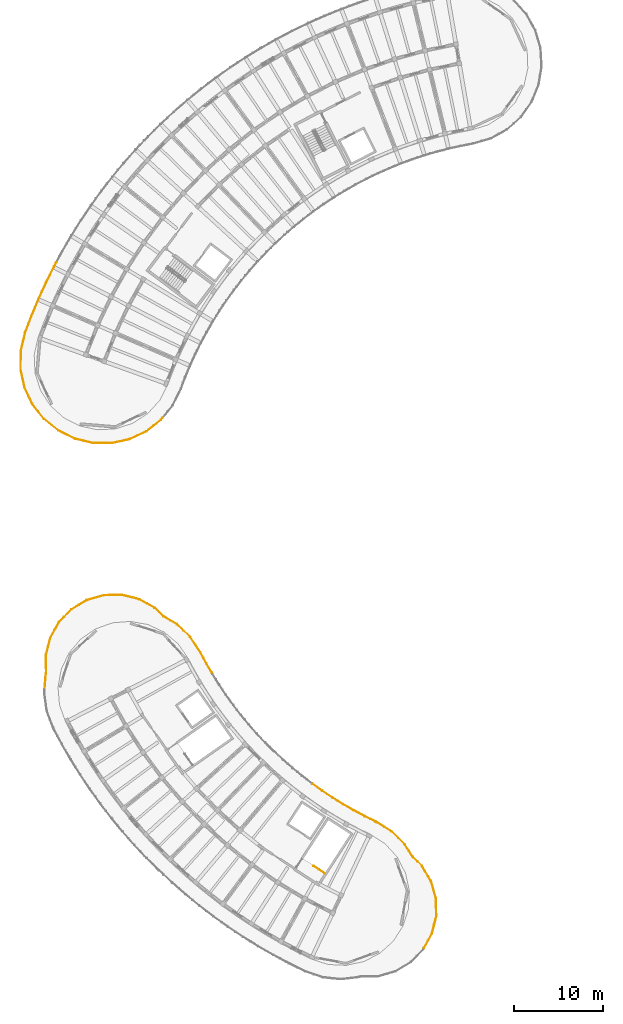
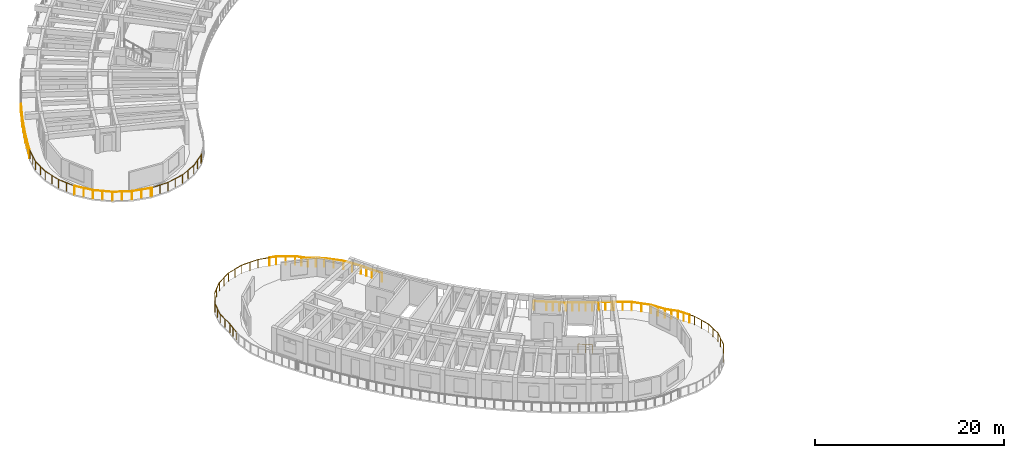
# One storey, part 32 of 41: 12 railings.
"""IFC4 building model written with IfcOpenShell, lengths in metres."""

from ifc_helpers import new_model, si_unit, direction, frame, origin, origin_2d, place, context, subcontext, project, spatial, circle, extrude, material, type_object, element, save


model = new_model("IFC4")

# Units and contexts
model_context = context("Model", 3, precision=1e-05, world=origin(), true_north=direction((0.0, 1.0)))
body_context = subcontext(model_context, "Body", "Model", "MODEL_VIEW")
ifc_project = project(units=[si_unit("LENGTHUNIT", "METRE"), si_unit("AREAUNIT", "SQUARE_METRE"), si_unit("VOLUMEUNIT", "CUBIC_METRE"), si_unit("PLANEANGLEUNIT", "RADIAN"), si_unit("MASSUNIT", "GRAM", prefix="KILO")], contexts=[model_context])

# Site, building, storey
site_placement = place(None, origin())
site = spatial("IfcSite", under=ifc_project, at=site_placement, CompositionType="ELEMENT")
building_placement = place(site_placement, origin())
building = spatial("IfcBuilding", under=site, at=building_placement, Name="Tanwirah Colonnade Gardens", CompositionType="ELEMENT")
storey_placement = place(building_placement, frame((0.0, 0.0, 35.719970703125)))
storey = spatial("IfcBuildingStorey", under=building, at=storey_placement, Name="L10", CompositionType="ELEMENT", Elevation=35.719970703125)

# Railings
ifc_material_1 = material(Name="Precast concrete C40/50", Category="concrete")
railing_type_1 = type_object("IfcRailingType", Name="BAL-EXT110", PredefinedType="BALUSTRADE", material=ifc_material_1)
railing_1_placement = place(storey_placement, frame((22.910400390625, 49.001953125, 0.0)))
element("IfcRailing", 1, at=railing_1_placement, inside=storey, type_object=railing_type_1, Name="Block C L10 Balcony Ribbon Balustrade 1", PredefinedType="BALUSTRADE", context=body_context, shape_type="SweptSolid", body=[
    extrude(circle(Radius=0.02392578125, at=origin_2d()), frame((0.02685546875, -0.015869140625, 1.076171875), z_axis=(0.860634061895, -0.50922393061, 0.0), x_axis=(0.50922393061, 0.860634061895, 0.0)), (0.0, 0.0, 1.0), 1.64990234375),
    extrude(circle(Radius=0.02392578125, at=origin_2d()), frame((1.49658203125, -0.8935546875, 1.076171875), z_axis=(0.72580510626, -0.687900390846, 0.0), x_axis=(0.687900390846, 0.72580510626, 0.0)), (0.0, 0.0, 1.0), 2.0244140625),
    extrude(circle(Radius=0.02392578125, at=origin_2d()), frame((3.005859375, -2.333740234375, 1.076171875), z_axis=(0.554538606918, -0.832157997881, 0.0), x_axis=(0.832157997881, 0.554538606918, 0.0)), (0.0, 0.0, 1.0), 2.029541015625),
    extrude(circle(Radius=0.02392578125, at=origin_2d()), frame((4.163330078125, -4.076171875, 1.076171875), z_axis=(0.472391966796, -0.881388580427, 0.0), x_axis=(0.881388580427, 0.472391966796, 0.0)), (0.0, 0.0, 1.0), 1.32763671875),
    extrude(circle(Radius=0.02392578125, at=origin_2d()), frame((4.822265625, -5.30322265625, 1.076171875), z_axis=(0.5009966932, -0.865449197471, 0.0), x_axis=(0.865449197471, 0.5009966932, 0.0)), (0.0, 0.0, 1.0), 1.1533203125),
    extrude(circle(Radius=0.02099609375, at=origin_2d()), origin(), (0.0, 0.0, 1.0), 1.049072265625),
    extrude(circle(Radius=0.02099609375, at=origin_2d()), frame((0.73681640625, -0.43603515625, 0.0)), (0.0, 0.0, 1.0), 1.049072265625),
    extrude(circle(Radius=0.02099609375, at=origin_2d()), frame((1.473876953125, -0.8720703125, 0.0)), (0.0, 0.0, 1.0), 1.049072265625),
    extrude(circle(Radius=0.02099609375, at=origin_2d()), frame((2.231201171875, -1.58984375, 0.0)), (0.0, 0.0, 1.0), 1.049072265625),
    extrude(circle(Radius=0.02099609375, at=origin_2d()), frame((2.988525390625, -2.3076171875, 0.0)), (0.0, 0.0, 1.0), 1.049072265625),
    extrude(circle(Radius=0.02099609375, at=origin_2d()), frame((3.568603515625, -3.17822265625, 0.0)), (0.0, 0.0, 1.0), 1.049072265625),
    extrude(circle(Radius=0.02099609375, at=origin_2d()), frame((4.148681640625, -4.048583984375, 0.0)), (0.0, 0.0, 1.0), 1.049072265625),
    extrude(circle(Radius=0.02099609375, at=origin_2d()), frame((4.47705078125, -4.6611328125, 0.0)), (0.0, 0.0, 1.0), 1.049072265625),
    extrude(circle(Radius=0.02099609375, at=origin_2d()), frame((4.805419921875, -5.27392578125, 0.0)), (0.0, 0.0, 1.0), 1.049072265625),
    extrude(circle(Radius=0.02099609375, at=origin_2d()), frame((5.415771484375, -6.328369140625, 0.0)), (0.0, 0.0, 1.0), 1.049072265625),
])
railing_2_placement = place(storey_placement, frame((39.662353515625, 30.156005859375, 0.0)))
element("IfcRailing", 2, at=railing_2_placement, inside=storey, type_object=railing_type_1, Name="Block C L10 Balcony Ribbon Balustrade 4", PredefinedType="BALUSTRADE", context=body_context, shape_type="SweptSolid", body=[
    extrude(circle(Radius=0.02392578125, at=origin_2d()), frame((0.025390625, -0.01806640625, 1.076171875), z_axis=(0.813510923357, -0.581549634664, 0.0), x_axis=(0.581549634664, 0.813510923357, 0.0)), (0.0, 0.0, 1.0), 1.27197265625),
    extrude(circle(Radius=0.02392578125, at=origin_2d()), frame((1.114013671875, -0.794921875, 1.076171875), z_axis=(0.832077237554, -0.554659779274, 0.0), x_axis=(0.554659779274, 0.832077237554, 0.0)), (0.0, 0.0, 1.0), 1.33154296875),
    extrude(circle(Radius=0.02392578125, at=origin_2d()), frame((2.276611328125, -1.56884765625, 1.076171875), z_axis=(0.849764617567, -0.527162303973, 0.0), x_axis=(0.527162303973, 0.849764617567, 0.0)), (0.0, 0.0, 1.0), 1.33154296875),
    extrude(circle(Radius=0.02392578125, at=origin_2d()), frame((3.4638671875, -2.303955078125, 1.076171875), z_axis=(0.866535241782, -0.499115893104, 0.0), x_axis=(0.499115893104, 0.866535241782, 0.0)), (0.0, 0.0, 1.0), 1.33154296875),
    extrude(circle(Radius=0.02392578125, at=origin_2d()), frame((4.6748046875, -3.0, 1.076171875), z_axis=(0.88242081136, -0.470460956593, 0.0), x_axis=(0.470460956593, 0.88242081136, 0.0)), (0.0, 0.0, 1.0), 1.331298828125),
    extrude(circle(Radius=0.02392578125, at=origin_2d()), frame((5.90771484375, -3.65625, 1.076171875), z_axis=(0.897323738879, -0.441372980192, 0.0), x_axis=(0.441372980192, 0.897323738879, 0.0)), (0.0, 0.0, 1.0), 1.327392578125),
    extrude(circle(Radius=0.02392578125, at=origin_2d()), frame((7.153564453125, -4.272216796875, 1.076171875), z_axis=(0.851297818265, -0.524682784755, 0.0), x_axis=(0.524682784755, 0.851297818265, 0.0)), (0.0, 0.0, 1.0), 0.12353515625),
    extrude(circle(Radius=0.02099609375, at=origin_2d()), origin(), (0.0, 0.0, 1.0), 1.049072265625),
    extrude(circle(Radius=0.02099609375, at=origin_2d()), frame((1.085693359375, -0.776123046875, 0.0)), (0.0, 0.0, 1.0), 1.049072265625),
    extrude(circle(Radius=0.02099609375, at=origin_2d()), frame((1.66796875, -1.1640625, 0.0)), (0.0, 0.0, 1.0), 1.049072265625),
    extrude(circle(Radius=0.02099609375, at=origin_2d()), frame((2.247802734375, -1.55078125, 0.0)), (0.0, 0.0, 1.0), 1.049072265625),
    extrude(circle(Radius=0.02099609375, at=origin_2d()), frame((2.84228515625, -1.919677734375, 0.0)), (0.0, 0.0, 1.0), 1.049072265625),
    extrude(circle(Radius=0.02099609375, at=origin_2d()), frame((3.4345703125, -2.287109375, 0.0)), (0.0, 0.0, 1.0), 1.049072265625),
    extrude(circle(Radius=0.02099609375, at=origin_2d()), frame((4.040771484375, -2.63623046875, 0.0)), (0.0, 0.0, 1.0), 1.049072265625),
    extrude(circle(Radius=0.02099609375, at=origin_2d()), frame((4.644775390625, -2.984130859375, 0.0)), (0.0, 0.0, 1.0), 1.049072265625),
    extrude(circle(Radius=0.02099609375, at=origin_2d()), frame((5.26220703125, -3.313232421875, 0.0)), (0.0, 0.0, 1.0), 1.049072265625),
    extrude(circle(Radius=0.02099609375, at=origin_2d()), frame((5.877197265625, -3.64111328125, 0.0)), (0.0, 0.0, 1.0), 1.049072265625),
    extrude(circle(Radius=0.02099609375, at=origin_2d()), frame((6.50341796875, -3.94921875, 0.0)), (0.0, 0.0, 1.0), 1.049072265625),
    extrude(circle(Radius=0.02099609375, at=origin_2d()), frame((7.126953125, -4.255859375, 0.0)), (0.0, 0.0, 1.0), 1.049072265625),
    extrude(circle(Radius=0.02099609375, at=origin_2d()), frame((7.285400390625, -4.353515625, 0.0)), (0.0, 0.0, 1.0), 1.049072265625),
])
railing_3_placement = place(storey_placement, frame((46.94775390625, 25.802490234375, 0.0)))
element("IfcRailing", 3, at=railing_3_placement, inside=storey, type_object=railing_type_1, Name="Block C L10 Balcony Ribbon Balustrade 5", PredefinedType="BALUSTRADE", context=body_context, shape_type="SweptSolid", body=[
    extrude(circle(Radius=0.02392578125, at=origin_2d()), frame((0.026611328125, -0.016357421875, 1.076171875), z_axis=(0.851006782559, -0.525154697245, 0.0), x_axis=(0.525154697245, 0.851006782559, 0.0)), (0.0, 0.0, 1.0), 1.843505859375),
    extrude(circle(Radius=0.02392578125, at=origin_2d()), frame((1.644287109375, -1.02294921875, 1.076171875), z_axis=(0.712816021803, -0.701351066914, 0.0), x_axis=(0.701351066914, 0.712816021803, 0.0)), (0.0, 0.0, 1.0), 2.0244140625),
    extrude(circle(Radius=0.02392578125, at=origin_2d()), frame((3.12646484375, -2.490966796875, 1.076171875), z_axis=(0.538875687024, -0.842385300165, 0.0), x_axis=(0.842385300165, 0.538875687024, 0.0)), (0.0, 0.0, 1.0), 1.650146484375),
    extrude(circle(Radius=0.02392578125, at=origin_2d()), frame((4.066650390625, -3.943359375, 1.076171875), z_axis=(0.719312923953, -0.694686200694, 0.0), x_axis=(0.694686200694, 0.719312923953, 0.0)), (0.0, 0.0, 1.0), 1.3154296875),
    extrude(circle(Radius=0.02392578125, at=origin_2d()), frame((5.051513671875, -4.90576171875, 1.076171875), z_axis=(0.515035005733, -0.857169144842, 0.0), x_axis=(0.857169144842, 0.515035005733, 0.0)), (0.0, 0.0, 1.0), 1.33544921875),
    extrude(circle(Radius=0.02099609375, at=origin_2d()), origin(), (0.0, 0.0, 1.0), 1.049072265625),
    extrude(circle(Radius=0.02099609375, at=origin_2d()), frame((0.81103515625, -0.50048828125, 0.0)), (0.0, 0.0, 1.0), 1.049072265625),
    extrude(circle(Radius=0.02099609375, at=origin_2d()), frame((1.6220703125, -1.0009765625, 0.0)), (0.0, 0.0, 1.0), 1.049072265625),
    extrude(circle(Radius=0.02099609375, at=origin_2d()), frame((2.36572265625, -1.73291015625, 0.0)), (0.0, 0.0, 1.0), 1.049072265625),
    extrude(circle(Radius=0.02099609375, at=origin_2d()), frame((3.109619140625, -2.464599609375, 0.0)), (0.0, 0.0, 1.0), 1.049072265625),
    extrude(circle(Radius=0.02099609375, at=origin_2d()), frame((3.571044921875, -3.18603515625, 0.0)), (0.0, 0.0, 1.0), 1.049072265625),
    extrude(circle(Radius=0.02099609375, at=origin_2d()), frame((4.032470703125, -3.9072265625, 0.0)), (0.0, 0.0, 1.0), 1.049072265625),
    extrude(circle(Radius=0.02099609375, at=origin_2d()), frame((4.539794921875, -4.400390625, 0.0)), (0.0, 0.0, 1.0), 1.049072265625),
    extrude(circle(Radius=0.02099609375, at=origin_2d()), frame((5.035400390625, -4.87890625, 0.0)), (0.0, 0.0, 1.0), 1.049072265625),
    extrude(circle(Radius=0.02099609375, at=origin_2d()), frame((5.3955078125, -5.47802734375, 0.0)), (0.0, 0.0, 1.0), 1.049072265625),
    extrude(circle(Radius=0.02099609375, at=origin_2d()), frame((5.75537109375, -6.0771484375, 0.0)), (0.0, 0.0, 1.0), 1.049072265625),
])
railing_4_placement = place(storey_placement, frame((52.703125, 19.725341796875, 0.0)))
element("IfcRailing", 4, at=railing_4_placement, inside=storey, type_object=railing_type_1, Name="Block C L10 Balcony Ribbon Balustrade 6", PredefinedType="BALUSTRADE", context=body_context, shape_type="SweptSolid", body=[
    extrude(circle(Radius=0.02392578125, at=origin_2d()), frame((0.01611328125, -0.02685546875, 1.076171875), z_axis=(0.515019194906, -0.85717864467, 0.0), x_axis=(0.85717864467, 0.515019194906, 0.0)), (0.0, 0.0, 1.0), 0.5546875),
    extrude(circle(Radius=0.02392578125, at=origin_2d()), frame((0.326416015625, -0.55908203125, 1.076171875), z_axis=(0.275633113871, -0.961262912287, 0.0), x_axis=(0.961262912287, 0.275633113871, 0.0)), (0.0, 0.0, 1.0), 1.95263671875),
    extrude(circle(Radius=0.02392578125, at=origin_2d()), frame((0.873779296875, -2.497314453125, 1.076171875), z_axis=(0.017445545298, -0.999847814894, 0.0), x_axis=(0.999847814894, 0.017445545298, 0.0)), (0.0, 0.0, 1.0), 1.95263671875),
    extrude(circle(Radius=0.02392578125, at=origin_2d()), frame((0.90087890625, -4.51123046875, 1.076171875), z_axis=(-0.241936954334, -0.970291971588, 0.0), x_axis=(0.970291971588, -0.241936954334, 0.0)), (0.0, 0.0, 1.0), 1.95263671875),
    extrude(circle(Radius=0.02392578125, at=origin_2d()), frame((0.40576171875, -6.463623046875, 1.076171875), z_axis=(-0.4847626387, -0.874645747786, 0.0), x_axis=(0.874645747786, -0.4847626387, 0.0)), (0.0, 0.0, 1.0), 1.774658203125),
    extrude(circle(Radius=0.02099609375, at=origin_2d()), origin(), (0.0, 0.0, 1.0), 1.049072265625),
    extrude(circle(Radius=0.02099609375, at=origin_2d()), frame((0.31787109375, -0.529052734375, 0.0)), (0.0, 0.0, 1.0), 1.049072265625),
    extrude(circle(Radius=0.02099609375, at=origin_2d()), frame((0.595703125, -1.49755859375, 0.0)), (0.0, 0.0, 1.0), 1.049072265625),
    extrude(circle(Radius=0.02099609375, at=origin_2d()), frame((0.873291015625, -2.466064453125, 0.0)), (0.0, 0.0, 1.0), 1.049072265625),
    extrude(circle(Radius=0.02099609375, at=origin_2d()), frame((0.890869140625, -3.4736328125, 0.0)), (0.0, 0.0, 1.0), 1.049072265625),
    extrude(circle(Radius=0.02099609375, at=origin_2d()), frame((0.908447265625, -4.48095703125, 0.0)), (0.0, 0.0, 1.0), 1.049072265625),
    extrude(circle(Radius=0.02099609375, at=origin_2d()), frame((0.66455078125, -5.45849609375, 0.0)), (0.0, 0.0, 1.0), 1.049072265625),
    extrude(circle(Radius=0.02099609375, at=origin_2d()), frame((0.4208984375, -6.436279296875, 0.0)), (0.0, 0.0, 1.0), 1.049072265625),
    extrude(circle(Radius=0.02099609375, at=origin_2d()), frame((-0.0244140625, -7.23974609375, 0.0)), (0.0, 0.0, 1.0), 1.049072265625),
    extrude(circle(Radius=0.02099609375, at=origin_2d()), frame((-0.4697265625, -8.043212890625, 0.0)), (0.0, 0.0, 1.0), 1.049072265625),
])
railing_5_placement = place(storey_placement, frame((9.5048828125, 41.023193359375, 0.0)))
element("IfcRailing", 5, at=railing_5_placement, inside=storey, type_object=railing_type_1, Name="Block C L10 Balcony Ribbon Balustrade 14", PredefinedType="BALUSTRADE", context=body_context, shape_type="SweptSolid", body=[
    extrude(circle(Radius=0.02392578125, at=origin_2d()), frame((0.002685546875, 0.03125, 1.076171875), z_axis=(0.085318173621, 0.996353757081, 0.0), x_axis=(-0.996353757081, 0.085318173621, 0.0)), (0.0, 0.0, 1.0), 1.439697265625),
    extrude(circle(Radius=0.02392578125, at=origin_2d()), frame((0.1376953125, 1.526611328125, 1.076171875), z_axis=(0.30305294563, 0.952973720595, 0.0), x_axis=(-0.952973720595, 0.30305294563, 0.0)), (0.0, 0.0, 1.0), 0.0712890625),
    extrude(circle(Radius=0.02392578125, at=origin_2d()), frame((0.172119140625, 1.68115234375, 1.076171875), z_axis=(-0.01738435709, 0.999848880646, 0.0), x_axis=(-0.999848880646, -0.01738435709, 0.0)), (0.0, 0.0, 1.0), 1.903564453125),
    extrude(circle(Radius=0.02392578125, at=origin_2d()), frame((0.14599609375, 3.64599609375, 1.076171875), z_axis=(0.241822890462, 0.970320405664, 0.0), x_axis=(-0.970320405664, 0.241822890462, 0.0)), (0.0, 0.0, 1.0), 1.95263671875),
    extrude(circle(Radius=0.02392578125, at=origin_2d()), frame((0.640869140625, 5.598388671875, 1.076171875), z_axis=(0.484850671451, 0.874596950826, 0.0), x_axis=(-0.874596950826, 0.484850671451, 0.0)), (0.0, 0.0, 1.0), 1.95263671875),
    extrude(circle(Radius=0.02392578125, at=origin_2d()), frame((1.62451171875, 7.35595703125, 1.076171875), z_axis=(0.694667008034, 0.719331459029, 0.0), x_axis=(-0.719331459029, 0.694667008034, 0.0)), (0.0, 0.0, 1.0), 0.77880859375),
    extrude(circle(Radius=0.02099609375, at=origin_2d()), origin(), (0.0, 0.0, 1.0), 1.049072265625),
    extrude(circle(Radius=0.02099609375, at=origin_2d()), frame((0.06396484375, 0.74853515625, 0.0)), (0.0, 0.0, 1.0), 1.049072265625),
    extrude(circle(Radius=0.02099609375, at=origin_2d()), frame((0.128173828125, 1.496826171875, 0.0)), (0.0, 0.0, 1.0), 1.049072265625),
    extrude(circle(Radius=0.02099609375, at=origin_2d()), frame((0.168701171875, 1.624267578125, 0.0)), (0.0, 0.0, 1.0), 1.049072265625),
    extrude(circle(Radius=0.02099609375, at=origin_2d()), frame((0.155517578125, 2.6328125, 0.0)), (0.0, 0.0, 1.0), 1.049072265625),
    extrude(circle(Radius=0.02099609375, at=origin_2d()), frame((0.138427734375, 3.61572265625, 0.0)), (0.0, 0.0, 1.0), 1.049072265625),
    extrude(circle(Radius=0.02099609375, at=origin_2d()), frame((0.382080078125, 4.59326171875, 0.0)), (0.0, 0.0, 1.0), 1.049072265625),
    extrude(circle(Radius=0.02099609375, at=origin_2d()), frame((0.625732421875, 5.571044921875, 0.0)), (0.0, 0.0, 1.0), 1.049072265625),
    extrude(circle(Radius=0.02099609375, at=origin_2d()), frame((1.1142578125, 6.4521484375, 0.0)), (0.0, 0.0, 1.0), 1.049072265625),
    extrude(circle(Radius=0.02099609375, at=origin_2d()), frame((1.602783203125, 7.33349609375, 0.0)), (0.0, 0.0, 1.0), 1.049072265625),
    extrude(circle(Radius=0.02099609375, at=origin_2d()), frame((2.187255859375, 7.938720703125, 0.0)), (0.0, 0.0, 1.0), 1.049072265625),
])
railing_6_placement = place(storey_placement, frame((11.692138671875, 48.9619140625, 0.0)))
element("IfcRailing", 6, at=railing_6_placement, inside=storey, type_object=railing_type_1, Name="Block C L10 Balcony Ribbon Balustrade 15", PredefinedType="BALUSTRADE", context=body_context, shape_type="SweptSolid", body=[
    extrude(circle(Radius=0.02392578125, at=origin_2d()), frame((0.021728515625, 0.0224609375, 1.076171875), z_axis=(0.694728135281, 0.719272422695, 0.0), x_axis=(-0.719272422695, 0.694728135281, 0.0)), (0.0, 0.0, 1.0), 1.111328125),
    extrude(circle(Radius=0.02392578125, at=origin_2d()), frame((0.84228515625, 0.8603515625, 1.076171875), z_axis=(0.857118567007, 0.515119172709, 0.0), x_axis=(-0.515119172709, 0.857118567007, 0.0)), (0.0, 0.0, 1.0), 1.95263671875),
    extrude(circle(Radius=0.02392578125, at=origin_2d()), frame((2.57275390625, 1.890869140625, 1.076171875), z_axis=(0.961262912287, 0.275633113871, 0.0), x_axis=(-0.275633113871, 0.961262912287, 0.0)), (0.0, 0.0, 1.0), 1.95263671875),
    extrude(circle(Radius=0.02392578125, at=origin_2d()), frame((4.510986328125, 2.438232421875, 1.076171875), z_axis=(0.999847814894, 0.017445545298, 0.0), x_axis=(-0.017445545298, 0.999847814894, 0.0)), (0.0, 0.0, 1.0), 1.95263671875),
    extrude(circle(Radius=0.02392578125, at=origin_2d()), frame((6.52490234375, 2.46533203125, 1.076171875), z_axis=(0.97025452573, -0.242087082058, 0.0), x_axis=(0.242087082058, 0.97025452573, 0.0)), (0.0, 0.0, 1.0), 1.21826171875),
    extrude(circle(Radius=0.02099609375, at=origin_2d()), origin(), (0.0, 0.0, 1.0), 1.049072265625),
    extrude(circle(Radius=0.02099609375, at=origin_2d()), frame((0.8154296875, 0.84423828125, 0.0)), (0.0, 0.0, 1.0), 1.049072265625),
    extrude(circle(Radius=0.02099609375, at=origin_2d()), frame((1.67919921875, 1.36328125, 0.0)), (0.0, 0.0, 1.0), 1.049072265625),
    extrude(circle(Radius=0.02099609375, at=origin_2d()), frame((2.542724609375, 1.88232421875, 0.0)), (0.0, 0.0, 1.0), 1.049072265625),
    extrude(circle(Radius=0.02099609375, at=origin_2d()), frame((3.51123046875, 2.16015625, 0.0)), (0.0, 0.0, 1.0), 1.049072265625),
    extrude(circle(Radius=0.02099609375, at=origin_2d()), frame((4.479736328125, 2.437744140625, 0.0)), (0.0, 0.0, 1.0), 1.049072265625),
    extrude(circle(Radius=0.02099609375, at=origin_2d()), frame((5.4873046875, 2.455322265625, 0.0)), (0.0, 0.0, 1.0), 1.049072265625),
    extrude(circle(Radius=0.02099609375, at=origin_2d()), frame((6.49462890625, 2.472900390625, 0.0)), (0.0, 0.0, 1.0), 1.049072265625),
    extrude(circle(Radius=0.02099609375, at=origin_2d()), frame((7.7373046875, 2.162841796875, 0.0)), (0.0, 0.0, 1.0), 1.049072265625),
])
railing_7_placement = place(storey_placement, frame((19.429443359375, 51.124755859375, 0.0)))
element("IfcRailing", 7, at=railing_7_placement, inside=storey, type_object=railing_type_1, Name="Block C L10 Balcony Ribbon Balustrade 16", PredefinedType="BALUSTRADE", context=body_context, shape_type="SweptSolid", body=[
    extrude(circle(Radius=0.02392578125, at=origin_2d()), frame((0.0302734375, -0.007568359375, 1.076171875), z_axis=(0.970357219053, -0.24167512787, 0.0), x_axis=(0.24167512787, 0.970357219053, 0.0)), (0.0, 0.0, 1.0), 0.671875),
    extrude(circle(Radius=0.02392578125, at=origin_2d()), frame((0.739990234375, -0.192626953125, 1.076171875), z_axis=(0.874596950826, -0.484850671451, 0.0), x_axis=(0.484850671451, 0.874596950826, 0.0)), (0.0, 0.0, 1.0), 1.95263671875),
    extrude(circle(Radius=0.02392578125, at=origin_2d()), frame((2.49755859375, -1.17626953125, 1.076171875), z_axis=(0.719315955714, -0.694683061443, 0.0), x_axis=(0.694683061443, 0.719315955714, 0.0)), (0.0, 0.0, 1.0), 1.315185546875),
    extrude(circle(Radius=0.02099609375, at=origin_2d()), origin(), (0.0, 0.0, 1.0), 1.049072265625),
    extrude(circle(Radius=0.02099609375, at=origin_2d()), frame((0.712646484375, -0.177490234375, 0.0)), (0.0, 0.0, 1.0), 1.049072265625),
    extrude(circle(Radius=0.02099609375, at=origin_2d()), frame((1.59375, -0.666015625, 0.0)), (0.0, 0.0, 1.0), 1.049072265625),
    extrude(circle(Radius=0.02099609375, at=origin_2d()), frame((2.47509765625, -1.154541015625, 0.0)), (0.0, 0.0, 1.0), 1.049072265625),
    extrude(circle(Radius=0.02099609375, at=origin_2d()), frame((2.970703125, -1.633056640625, 0.0)), (0.0, 0.0, 1.0), 1.049072265625),
    extrude(circle(Radius=0.02099609375, at=origin_2d()), frame((3.466064453125, -2.111572265625, 0.0)), (0.0, 0.0, 1.0), 1.049072265625),
])
railing_type_2 = type_object("IfcRailingType", Name="BAL-EXT112", PredefinedType="BALUSTRADE", material=ifc_material_1)
railing_8_placement = place(storey_placement, frame((22.779541015625, 71.369873046875, 0.0)))
element("IfcRailing", 8, at=railing_8_placement, inside=storey, type_object=railing_type_2, Name="Block A L10 Balcony Ribbon Balustrade 7", PredefinedType="BALUSTRADE", context=body_context, shape_type="SweptSolid", body=[
    extrude(circle(Radius=0.02392578125, at=origin_2d()), frame((-0.019775390625, -0.024169921875, 1.09619140625), z_axis=(-0.630333950087, -0.776324102014, 0.0), x_axis=(0.776324102014, -0.630333950087, 0.0)), (0.0, 0.0, 1.0), 0.2216796875),
    extrude(circle(Radius=0.02392578125, at=origin_2d()), frame((-0.203857421875, -0.239990234375, 1.09619140625), z_axis=(-0.78712959931, -0.616787640838, 0.0), x_axis=(0.616787640838, -0.78712959931, 0.0)), (0.0, 0.0, 1.0), 2.024169921875),
    extrude(circle(Radius=0.02392578125, at=origin_2d()), frame((-1.85009765625, -1.521240234375, 1.09619140625), z_axis=(-0.90464099264, -0.426174464786, 0.0), x_axis=(0.426174464786, -0.90464099264, 0.0)), (0.0, 0.0, 1.0), 2.0244140625),
    extrude(circle(Radius=0.02392578125, at=origin_2d()), frame((-3.740234375, -2.40380859375, 1.09619140625), z_axis=(-0.976815992675, -0.21408063073, 0.0), x_axis=(0.21408063073, -0.976815992675, 0.0)), (0.0, 0.0, 1.0), 2.0244140625),
    extrude(circle(Radius=0.02392578125, at=origin_2d()), frame((-5.779541015625, -2.84375, 1.09619140625), z_axis=(-0.999962881034, 0.008616063785, 0.0), x_axis=(-0.008616063785, -0.999962881034, 0.0)), (0.0, 0.0, 1.0), 1.892578125),
    extrude(circle(Radius=0.02099609375, at=origin_2d()), origin(), (0.0, 0.0, 1.0), 1.069091796875),
    extrude(circle(Radius=0.02099609375, at=origin_2d()), frame((-0.17919921875, -0.220703125, 0.0)), (0.0, 0.0, 1.0), 1.069091796875),
    extrude(circle(Radius=0.02099609375, at=origin_2d()), frame((-1.00048828125, -0.8642578125, 0.0)), (0.0, 0.0, 1.0), 1.069091796875),
    extrude(circle(Radius=0.02099609375, at=origin_2d()), frame((-1.82177734375, -1.5078125, 0.0)), (0.0, 0.0, 1.0), 1.069091796875),
    extrude(circle(Radius=0.02099609375, at=origin_2d()), frame((-2.765625, -1.95263671875, 0.0)), (0.0, 0.0, 1.0), 1.069091796875),
    extrude(circle(Radius=0.02099609375, at=origin_2d()), frame((-3.709716796875, -2.397216796875, 0.0)), (0.0, 0.0, 1.0), 1.069091796875),
    extrude(circle(Radius=0.02099609375, at=origin_2d()), frame((-4.72900390625, -2.62060546875, 0.0)), (0.0, 0.0, 1.0), 1.069091796875),
    extrude(circle(Radius=0.02099609375, at=origin_2d()), frame((-5.748291015625, -2.843994140625, 0.0)), (0.0, 0.0, 1.0), 1.069091796875),
    extrude(circle(Radius=0.02099609375, at=origin_2d()), frame((-6.725830078125, -2.83544921875, 0.0)), (0.0, 0.0, 1.0), 1.069091796875),
    extrude(circle(Radius=0.02099609375, at=origin_2d()), frame((-7.703369140625, -2.8271484375, 0.0)), (0.0, 0.0, 1.0), 1.069091796875),
])
railing_9_placement = place(storey_placement, frame((15.076171875, 68.542724609375, 0.0)))
element("IfcRailing", 9, at=railing_9_placement, inside=storey, type_object=railing_type_2, Name="Block A L10 Balcony Ribbon Balustrade 8", PredefinedType="BALUSTRADE", context=body_context, shape_type="SweptSolid", body=[
    extrude(circle(Radius=0.02392578125, at=origin_2d()), frame((-0.03125, 0.000244140625, 1.09619140625), z_axis=(-0.999972566287, 0.007407204195, 0.0), x_axis=(-0.007407204195, -0.999972566287, 0.0)), (0.0, 0.0, 1.0), 0.0693359375),
    extrude(circle(Radius=0.02392578125, at=origin_2d()), frame((-0.162353515625, 0.00830078125, 1.09619140625), z_axis=(-0.972970402289, 0.230929851403, 0.0), x_axis=(-0.230929851403, -0.972970402289, 0.0)), (0.0, 0.0, 1.0), 2.0244140625),
    extrude(circle(Radius=0.02392578125, at=origin_2d()), frame((-2.1904296875, 0.496826171875, 1.09619140625), z_axis=(-0.897194210898, 0.441636216735, 0.0), x_axis=(-0.441636216735, -0.897194210898, 0.0)), (0.0, 0.0, 1.0), 2.0244140625),
    extrude(circle(Radius=0.02392578125, at=origin_2d()), frame((-4.058837890625, 1.42431640625, 1.09619140625), z_axis=(-0.776432376797, 0.630200574628, 0.0), x_axis=(-0.630200574628, -0.776432376797, 0.0)), (0.0, 0.0, 1.0), 2.0244140625),
    extrude(circle(Radius=0.02392578125, at=origin_2d()), frame((-5.67431640625, 2.744384765625, 1.09619140625), z_axis=(-0.616787640838, 0.78712959931, 0.0), x_axis=(-0.78712959931, -0.616787640838, 0.0)), (0.0, 0.0, 1.0), 2.024169921875),
    extrude(circle(Radius=0.02099609375, at=origin_2d()), origin(), (0.0, 0.0, 1.0), 1.069091796875),
    extrude(circle(Radius=0.02099609375, at=origin_2d()), frame((-0.1318359375, 0.0009765625, 0.0)), (0.0, 0.0, 1.0), 1.069091796875),
    extrude(circle(Radius=0.02099609375, at=origin_2d()), frame((-1.14697265625, 0.241943359375, 0.0)), (0.0, 0.0, 1.0), 1.069091796875),
    extrude(circle(Radius=0.02099609375, at=origin_2d()), frame((-2.162353515625, 0.48291015625, 0.0)), (0.0, 0.0, 1.0), 1.069091796875),
    extrude(circle(Radius=0.02099609375, at=origin_2d()), frame((-3.0986328125, 0.94384765625, 0.0)), (0.0, 0.0, 1.0), 1.069091796875),
    extrude(circle(Radius=0.02099609375, at=origin_2d()), frame((-4.03466796875, 1.404541015625, 0.0)), (0.0, 0.0, 1.0), 1.069091796875),
    extrude(circle(Radius=0.02099609375, at=origin_2d()), frame((-4.8447265625, 2.06201171875, 0.0)), (0.0, 0.0, 1.0), 1.069091796875),
    extrude(circle(Radius=0.02099609375, at=origin_2d()), frame((-5.655029296875, 2.7197265625, 0.0)), (0.0, 0.0, 1.0), 1.069091796875),
    extrude(circle(Radius=0.02099609375, at=origin_2d()), frame((-6.298583984375, 3.541015625, 0.0)), (0.0, 0.0, 1.0), 1.069091796875),
    extrude(circle(Radius=0.02099609375, at=origin_2d()), frame((-6.942138671875, 4.3623046875, 0.0)), (0.0, 0.0, 1.0), 1.069091796875),
])
railing_10_placement = place(storey_placement, frame((8.125244140625, 72.923583984375, 0.0)))
element("IfcRailing", 10, at=railing_10_placement, inside=storey, type_object=railing_type_2, Name="Block A L10 Balcony Ribbon Balustrade 9", PredefinedType="BALUSTRADE", context=body_context, shape_type="SweptSolid", body=[
    extrude(circle(Radius=0.02392578125, at=origin_2d()), frame((-0.013427734375, 0.0283203125, 1.09619140625), z_axis=(-0.426155459598, 0.9046499457, 0.0), x_axis=(-0.9046499457, -0.426155459598, 0.0)), (0.0, 0.0, 1.0), 2.00390625),
    extrude(circle(Radius=0.02392578125, at=origin_2d()), frame((-0.88720703125, 1.89990234375, 1.09619140625), z_axis=(-0.21408063073, 0.976815992675, 0.0), x_axis=(-0.976815992675, -0.21408063073, 0.0)), (0.0, 0.0, 1.0), 2.0244140625),
    extrude(circle(Radius=0.02392578125, at=origin_2d()), frame((-1.3271484375, 3.939208984375, 1.09619140625), z_axis=(0.008539697957, 0.999963536115, 0.0), x_axis=(-0.999963536115, 0.008539697957, 0.0)), (0.0, 0.0, 1.0), 2.0244140625),
    extrude(circle(Radius=0.02392578125, at=origin_2d()), frame((-1.30224609375, 6.025390625, 1.09619140625), z_axis=(0.230978471845, 0.972958861178, 0.0), x_axis=(-0.972958861178, 0.230978471845, 0.0)), (0.0, 0.0, 1.0), 2.028076171875),
    extrude(circle(Radius=0.02392578125, at=origin_2d()), frame((-0.815673828125, 8.058349609375, 1.09619140625), z_axis=(0.353653196447, 0.935376617541, 0.0), x_axis=(-0.935376617541, 0.353653196447, 0.0)), (0.0, 0.0, 1.0), 0.106689453125),
    extrude(circle(Radius=0.02099609375, at=origin_2d()), origin(), (0.0, 0.0, 1.0), 1.069091796875),
    extrude(circle(Radius=0.02099609375, at=origin_2d()), frame((-0.4404296875, 0.9345703125, 0.0)), (0.0, 0.0, 1.0), 1.069091796875),
    extrude(circle(Radius=0.02099609375, at=origin_2d()), frame((-0.880615234375, 1.869384765625, 0.0)), (0.0, 0.0, 1.0), 1.069091796875),
    extrude(circle(Radius=0.02099609375, at=origin_2d()), frame((-1.10400390625, 2.888671875, 0.0)), (0.0, 0.0, 1.0), 1.069091796875),
    extrude(circle(Radius=0.02099609375, at=origin_2d()), frame((-1.327392578125, 3.907958984375, 0.0)), (0.0, 0.0, 1.0), 1.069091796875),
    extrude(circle(Radius=0.02099609375, at=origin_2d()), frame((-1.318359375, 4.951416015625, 0.0)), (0.0, 0.0, 1.0), 1.069091796875),
    extrude(circle(Radius=0.02099609375, at=origin_2d()), frame((-1.3095703125, 5.994873046875, 0.0)), (0.0, 0.0, 1.0), 1.069091796875),
    extrude(circle(Radius=0.02099609375, at=origin_2d()), frame((-1.068115234375, 7.011962890625, 0.0)), (0.0, 0.0, 1.0), 1.069091796875),
    extrude(circle(Radius=0.02099609375, at=origin_2d()), frame((-0.82666015625, 8.029052734375, 0.0)), (0.0, 0.0, 1.0), 1.069091796875),
    extrude(circle(Radius=0.02099609375, at=origin_2d()), frame((-0.766845703125, 8.187255859375, 0.0)), (0.0, 0.0, 1.0), 1.069091796875),
])
railing_11_placement = place(storey_placement, frame((7.3583984375, 81.11083984375, 0.0)))
element("IfcRailing", 11, at=railing_11_placement, inside=storey, type_object=railing_type_2, Name="Block A L10 Balcony Ribbon Balustrade 10", PredefinedType="BALUSTRADE", context=body_context, shape_type="SweptSolid", body=[
    extrude(circle(Radius=0.02392578125, at=origin_2d()), frame((0.010986328125, 0.029296875, 1.09619140625), z_axis=(0.35385774644, 0.935299254402, 0.0), x_axis=(-0.935299254402, 0.35385774644, 0.0)), (0.0, 0.0, 1.0), 1.785888671875),
    extrude(circle(Radius=0.02392578125, at=origin_2d()), frame((0.666015625, 1.757568359375, 1.09619140625), z_axis=(0.384409566544, 0.92316265368, 0.0), x_axis=(-0.92316265368, 0.384409566544, 0.0)), (0.0, 0.0, 1.0), 1.958984375),
    extrude(circle(Radius=0.02392578125, at=origin_2d()), frame((1.444091796875, 3.62353515625, 1.09619140625), z_axis=(0.414749084938, 0.909935820013, 0.0), x_axis=(-0.909935820013, 0.414749084938, 0.0)), (0.0, 0.0, 1.0), 1.958984375),
    extrude(circle(Radius=0.02392578125, at=origin_2d()), frame((2.283447265625, 5.46240234375, 1.09619140625), z_axis=(0.444409688214, 0.895823659557, 0.0), x_axis=(-0.895823659557, 0.444409688214, 0.0)), (0.0, 0.0, 1.0), 1.959228515625),
    extrude(circle(Radius=0.02392578125, at=origin_2d()), frame((3.182861328125, 7.27294921875, 1.09619140625), z_axis=(0.473802121612, 0.880631335779, 0.0), x_axis=(-0.880631335779, 0.473802121612, 0.0)), (0.0, 0.0, 1.0), 0.5244140625),
    extrude(circle(Radius=0.02099609375, at=origin_2d()), origin(), (0.0, 0.0, 1.0), 1.069091796875),
    extrude(circle(Radius=0.02099609375, at=origin_2d()), frame((0.3271484375, 0.8642578125, 0.0)), (0.0, 0.0, 1.0), 1.069091796875),
    extrude(circle(Radius=0.02099609375, at=origin_2d()), frame((0.654052734375, 1.728759765625, 0.0)), (0.0, 0.0, 1.0), 1.069091796875),
    extrude(circle(Radius=0.02099609375, at=origin_2d()), frame((1.04248046875, 2.661865234375, 0.0)), (0.0, 0.0, 1.0), 1.069091796875),
    extrude(circle(Radius=0.02099609375, at=origin_2d()), frame((1.43115234375, 3.594970703125, 0.0)), (0.0, 0.0, 1.0), 1.069091796875),
    extrude(circle(Radius=0.02099609375, at=origin_2d()), frame((1.850341796875, 4.5146484375, 0.0)), (0.0, 0.0, 1.0), 1.069091796875),
    extrude(circle(Radius=0.02099609375, at=origin_2d()), frame((2.26953125, 5.434326171875, 0.0)), (0.0, 0.0, 1.0), 1.069091796875),
    extrude(circle(Radius=0.02099609375, at=origin_2d()), frame((2.71875, 6.33984375, 0.0)), (0.0, 0.0, 1.0), 1.069091796875),
    extrude(circle(Radius=0.02099609375, at=origin_2d()), frame((3.16796875, 7.245361328125, 0.0)), (0.0, 0.0, 1.0), 1.069091796875),
    extrude(circle(Radius=0.02099609375, at=origin_2d()), frame((3.446044921875, 7.76220703125, 0.0)), (0.0, 0.0, 1.0), 1.069091796875),
])
ifc_material_2 = material(Name="Powder-coated galvanized steel", Category="steel")
railing_type_3 = type_object("IfcRailingType", Name="GRD-ST110", PredefinedType="GUARDRAIL", material=ifc_material_2)
railing_12_placement = place(storey_placement, frame((41.043212890625, 20.081787109375, 0.0)))
element("IfcRailing", 12, at=railing_12_placement, inside=storey, type_object=railing_type_3, Name="L10 ST-C2 top well guard 1", PredefinedType="GUARDRAIL", context=body_context, shape_type="SweptSolid", body=[
    extrude(circle(Radius=0.02392578125, at=origin_2d()), frame((-0.026123046875, 0.01708984375, 1.076171875), z_axis=(-0.838624667758, 0.544709708586, 0.0), x_axis=(-0.544709708586, -0.838624667758, 0.0)), (0.0, 0.0, 1.0), 1.4775390625),
    extrude(circle(Radius=0.02099609375, at=origin_2d()), origin(), (0.0, 0.0, 1.0), 1.049072265625),
    extrude(circle(Radius=0.02099609375, at=origin_2d()), frame((-0.645751953125, 0.41943359375, 0.0)), (0.0, 0.0, 1.0), 1.049072265625),
    extrude(circle(Radius=0.02099609375, at=origin_2d()), frame((-1.29150390625, 0.8388671875, 0.0)), (0.0, 0.0, 1.0), 1.049072265625),
])

save(model, "model.ifc")
